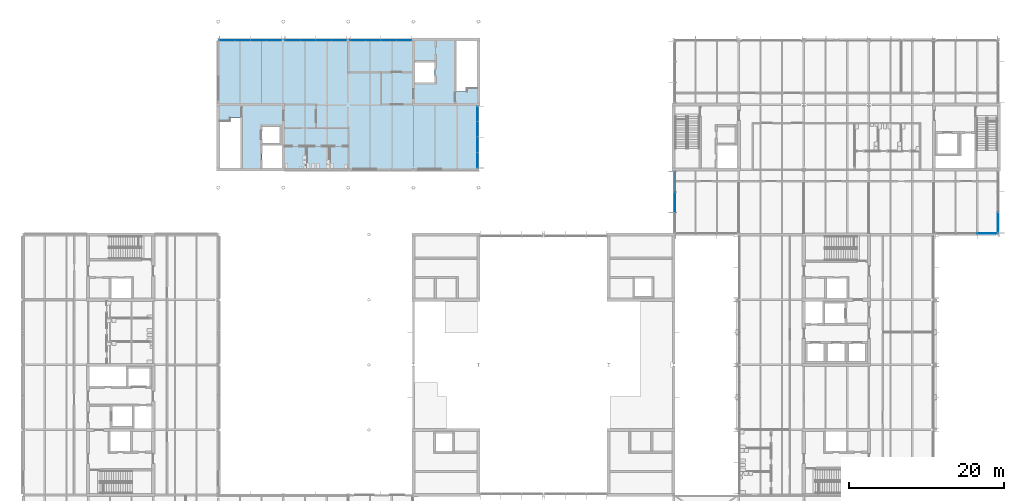
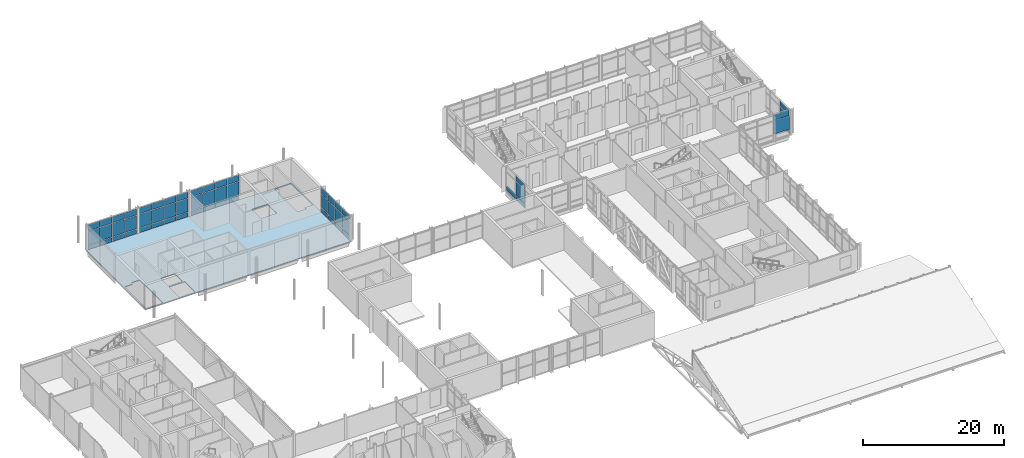
# One storey, part 44 of 89: 57 plates, 1 slab, 7 elements without a shape of their own.
"""IFC4 building model written with IfcOpenShell, lengths in metres."""

import ifcopenshell
import ifcopenshell.guid

model = None  # the IFC model being written
_history = None  # IfcOwnerHistory: only IFC2X3 demands one
_inside = {}  # id of a spatial element -> (the spatial element, [elements in it])
_under = {}  # id of a project, library or spatial element -> (it, [spatial elements below it])
_declared = {}  # id of a project -> (the project, [libraries it declares])
_typed = {}  # id of a type object -> (the type object, [elements of that type])
_made_of = {}  # id of a material, layer set ... -> (it, [elements and type objects made of it])


def new_model(schema):
    """Start an empty IFC model of exactly this schema.

    Asked for "IFC4X3", IfcOpenShell would pick the latest addendum, in which some entities
    have other attributes; the version numbers below select the first issue.
    IFC2X3 requires an IfcOwnerHistory on every rooted entity: one is made here for all.
    """
    global model, _history
    if schema == "IFC4X3":
        model = ifcopenshell.file(schema_version=(4, 3, 0, 0))
    else:
        model = ifcopenshell.file(schema=schema)
    _inside.clear()
    _under.clear()
    _declared.clear()
    _typed.clear()
    _made_of.clear()
    _history = None
    if model.schema == "IFC2X3":
        org = make("IfcOrganization", Name="unknown")
        user = make(
            "IfcPersonAndOrganization",
            ThePerson=make("IfcPerson", FamilyName="unknown"),
            TheOrganization=org,
        )
        app = make(
            "IfcApplication",
            ApplicationDeveloper=org,
            Version="unknown",
            ApplicationFullName="unknown",
            ApplicationIdentifier="unknown",
        )
        _history = make(
            "IfcOwnerHistory",
            OwningUser=user,
            OwningApplication=app,
            ChangeAction="ADDED",
            CreationDate=0,
        )
    return model


def make(cls, **values):
    """One entity of the class cls with the attributes given. An attribute that is None is left unset."""
    return model.create_entity(
        cls, **{name: value for name, value in values.items() if value is not None}
    )


def rooted(cls, **values):
    """An entity with a GlobalId (a new one), such as an element, a storey or a relation."""
    return make(cls, GlobalId=ifcopenshell.guid.new(), OwnerHistory=_history, **values)


def si_unit(unit_type, name, prefix=None):
    """IfcSIUnit, for example si_unit("LENGTHUNIT", "METRE", prefix="MILLI")."""
    return make("IfcSIUnit", UnitType=unit_type, Prefix=prefix, Name=name)


def assignment(units):
    """IfcUnitAssignment: the units of a project."""
    return None if units is None else make("IfcUnitAssignment", Units=units)


def point(xyz):
    """IfcCartesianPoint."""
    return None if xyz is None else make("IfcCartesianPoint", Coordinates=xyz)


def direction(xyz):
    """IfcDirection."""
    return None if xyz is None else make("IfcDirection", DirectionRatios=xyz)


def frame(location, z_axis=None, x_axis=None):
    """IfcAxis2Placement3D, a coordinate frame: its origin and axes. An axis left out is left unset."""
    return make(
        "IfcAxis2Placement3D",
        Location=point(location),
        Axis=direction(z_axis),
        RefDirection=direction(x_axis),
    )


def frame_2d(location, x_axis=None):
    """IfcAxis2Placement2D, a coordinate frame in the plane: its origin and x axis."""
    return make(
        "IfcAxis2Placement2D", Location=point(location), RefDirection=direction(x_axis)
    )


def origin():
    """The frame at (0, 0, 0) with its axes left unset."""
    return frame((0.0, 0.0, 0.0))


def origin_2d():
    """The frame at (0, 0) in the plane with its x axis left unset."""
    return frame_2d((0.0, 0.0))


def place(relative_to, where):
    """IfcLocalPlacement: puts the frame where relative to a parent placement (None: the world)."""
    return make(
        "IfcLocalPlacement", PlacementRelTo=relative_to, RelativePlacement=where
    )


def context(
    kind, dimensions, precision=None, world=None, true_north=None, identifier=None
):
    """IfcGeometricRepresentationContext, for example the 3D "Model" context."""
    return make(
        "IfcGeometricRepresentationContext",
        ContextIdentifier=identifier,
        ContextType=kind,
        CoordinateSpaceDimension=dimensions,
        Precision=precision,
        WorldCoordinateSystem=world,
        TrueNorth=true_north,
    )


def subcontext(parent, identifier, kind, view, scale=None):
    """IfcGeometricRepresentationSubContext, for example "Body" below "Model"."""
    return make(
        "IfcGeometricRepresentationSubContext",
        ContextIdentifier=identifier,
        ContextType=kind,
        ParentContext=parent,
        TargetScale=scale,
        TargetView=view,
    )


def project(units=None, contexts=None):
    """IfcProject with its units and contexts."""
    return rooted(
        "IfcProject",
        Name="project",
        RepresentationContexts=contexts,
        UnitsInContext=assignment(units),
    )


def spatial(cls, under=None, at=None, **own):
    """A site, building, storey or space (cls), placed at a placement, below another one or the project."""
    s = rooted(cls, ObjectPlacement=at, **own)
    if under is not None:
        _under.setdefault(under.id(), (under, []))[1].append(s)
    return s


def polyline(points):
    """IfcPolyline through the points."""
    return make("IfcPolyline", Points=[point(p) for p in points])


def profile(cls, at=None, kind="AREA", **sizes):
    """A parametric profile (cls). Its sizes go by their IFC names, for example OverallWidth=200.0."""
    return make(cls, ProfileType=kind, Position=at, **sizes)


def rectangle(**sizes):
    """IfcRectangleProfileDef."""
    return profile("IfcRectangleProfileDef", **sizes)


def outline(outer, holes=None, kind="AREA"):
    """IfcArbitraryClosedProfileDef: a profile drawn as a closed curve; with holes, ...WithVoids."""
    if holes is None:
        return make("IfcArbitraryClosedProfileDef", ProfileType=kind, OuterCurve=outer)
    return make(
        "IfcArbitraryProfileDefWithVoids",
        ProfileType=kind,
        OuterCurve=outer,
        InnerCurves=holes,
    )


def extrude(swept, where, along, depth):
    """IfcExtrudedAreaSolid: the profile swept, set in the frame where, extruded along a direction by depth."""
    return make(
        "IfcExtrudedAreaSolid",
        SweptArea=swept,
        Position=where,
        ExtrudedDirection=direction(along),
        Depth=depth,
    )


def shape(context_of_items, identifier, shape_type, items):
    """IfcShapeRepresentation: the items that make up one representation, for example the "Body"."""
    return make(
        "IfcShapeRepresentation",
        ContextOfItems=context_of_items,
        RepresentationIdentifier=identifier,
        RepresentationType=shape_type,
        Items=items,
    )


def material(Name=None, Category=None):
    """IfcMaterial."""
    return make("IfcMaterial", Name=Name, Category=Category)


def layer(
    of_material, thickness, ventilated=None, Name=None, Category=None, Priority=None
):
    """IfcMaterialLayer: one layer of a wall or slab, of a material (None: an air gap)."""
    return make(
        "IfcMaterialLayer",
        Material=of_material,
        LayerThickness=thickness,
        IsVentilated=ventilated,
        Name=Name,
        Category=Category,
        Priority=Priority,
    )


def layer_set(layers, Name=None):
    """IfcMaterialLayerSet."""
    return make("IfcMaterialLayerSet", MaterialLayers=layers, LayerSetName=Name)


def made_of(thing, what):
    """Note that an element or type object is made of a material, layer set ...; save() writes the relation."""
    if what is not None:
        _made_of.setdefault(what.id(), (what, []))[1].append(thing)
    return thing


def type_object(cls, material=None, **own):
    """A type object (cls), such as IfcWallType, which elements share."""
    return made_of(rooted(cls, **own), material)


def element(
    cls,
    number,
    at=None,
    inside=None,
    cuts=None,
    type_object=None,
    material=None,
    context=None,
    identifier="Body",
    shape_type=None,
    held_by="IfcProductDefinitionShape",
    body=None,
    shapes=None,
    **own,
):
    """One element of the class cls, such as IfcWall. Its Tag is "e" and its number.

    at: its placement. inside: the storey or other place that contains it. cuts: it is an
    opening in that element (IfcRelVoidsElement). A single representation is given by context,
    identifier, shape_type and body (its items); several are given by shapes. held_by: the class
    of the entity that holds the representations. save() writes the other relations.
    """
    e = rooted(cls, Tag="e%d" % number, ObjectPlacement=at, **own)
    if body is not None:
        shapes = [shape(context, identifier, shape_type, body)]
    if shapes is not None:
        e.Representation = make(held_by, Representations=shapes)
    if inside is not None:
        _inside.setdefault(inside.id(), (inside, []))[1].append(e)
    if cuts is not None:
        rooted(
            "IfcRelVoidsElement", RelatingBuildingElement=cuts, RelatedOpeningElement=e
        )
    if type_object is not None:
        _typed.setdefault(type_object.id(), (type_object, []))[1].append(e)
    return made_of(e, material)


def aggregate(whole, parts):
    """IfcRelAggregates: a whole, such as a stair, and the parts it consists of."""
    return rooted("IfcRelAggregates", RelatingObject=whole, RelatedObjects=parts)


def save(model, path):
    """Write the relations noted so far, then the file.

    IfcRelAggregates (storeys below a building ...), IfcRelContainedInSpatialStructure (elements
    in a storey), IfcRelDefinesByType, IfcRelAssociatesMaterial and IfcRelDeclares: one each for
    every whole, place, type object, material and project.
    """
    for whole, parts in _under.values():
        aggregate(whole, parts)
    for where, things in _inside.values():
        rooted(
            "IfcRelContainedInSpatialStructure",
            RelatedElements=things,
            RelatingStructure=where,
        )
    for kind, things in _typed.values():
        rooted("IfcRelDefinesByType", RelatedObjects=things, RelatingType=kind)
    for what, things in _made_of.values():
        rooted("IfcRelAssociatesMaterial", RelatedObjects=things, RelatingMaterial=what)
    for by, libraries in _declared.values():
        rooted("IfcRelDeclares", RelatingContext=by, RelatedDefinitions=libraries)
    model.write(path)


model = new_model("IFC4")

# Units and contexts
model_context = context("Model", 3, precision=1e-05, world=origin(), true_north=direction((0.0, 1.0)))
body_context = subcontext(model_context, "Body", "Model", "MODEL_VIEW")
ifc_project = project(units=[si_unit("LENGTHUNIT", "METRE"), si_unit("AREAUNIT", "SQUARE_METRE"), si_unit("VOLUMEUNIT", "CUBIC_METRE"), si_unit("PLANEANGLEUNIT", "RADIAN"), si_unit("MASSUNIT", "GRAM", prefix="KILO")], contexts=[model_context])

# Site, building, storey
site_placement = place(None, origin())
site = spatial("IfcSite", under=ifc_project, at=site_placement, CompositionType="ELEMENT")
building_placement = place(site_placement, origin())
building = spatial("IfcBuilding", under=site, at=building_placement, Name="Hlaing Beacon Police Headquarters", CompositionType="ELEMENT")
storey_placement = place(building_placement, frame((0.0, 0.0, 9.89990234375)))
storey = spatial("IfcBuildingStorey", under=building, at=storey_placement, Name="L02", CompositionType="ELEMENT", Elevation=9.89990234375)

# Curtain wall, plates
ifc_material_1 = material(Name="Aluminium frame with solar control glazing", Category="aluminium")
curtain_wall_type_1 = type_object("IfcCurtainWallType", Name="Unitised curtain wall 8.01 x 4.50", PredefinedType="NOTDEFINED", material=ifc_material_1)
curtain_wall_1_placement = place(storey_placement, origin())
curtain_wall_1 = element("IfcCurtainWall", 1, at=curtain_wall_1_placement, inside=storey, type_object=curtain_wall_type_1, Name="ENV-CW-L02-N034", PredefinedType="NOTDEFINED")
ifc_material_2 = material(Name="Solar control glazing", Category="glass")
ifc_layer_1 = layer(ifc_material_2, 0.031982421875)
ifc_layer_set_1 = layer_set([ifc_layer_1], Name="Solar control glazing")
plate_type_1 = type_object("IfcPlateType", Name="Clear glazing panel 32", PredefinedType="CURTAIN_PANEL", material=ifc_layer_set_1)
plate_1_placement = place(storey_placement, frame((57.583251953125, 92.300048828125, 3.35009765625), z_axis=(0.0, 0.0, 1.0), x_axis=(-1.0, 0.0, 0.0)))
plate_1 = element("IfcPlate", 2, at=plate_1_placement, type_object=plate_type_1, Name="CW-L02-N034 panel 1.3", PredefinedType="CURTAIN_PANEL", context=body_context, shape_type="SweptSolid", body=[
    extrude(rectangle(XDim=1.91357421875, YDim=0.031982421875, at=origin_2d()), origin(), (0.0, 0.0, 1.0), 1.050048828125),
])
plate_2_placement = place(storey_placement, frame((55.594482421875, 92.300048828125, 3.35009765625), z_axis=(0.0, 0.0, 1.0), x_axis=(-1.0, 0.0, 0.0)))
plate_2 = element("IfcPlate", 3, at=plate_2_placement, type_object=plate_type_1, Name="CW-L02-N034 panel 2.3", PredefinedType="CURTAIN_PANEL", context=body_context, shape_type="SweptSolid", body=[
    extrude(rectangle(XDim=1.943603515625, YDim=0.031982421875, at=origin_2d()), origin(), (0.0, 0.0, 1.0), 1.050048828125),
])
plate_3_placement = place(storey_placement, frame((53.5908203125, 92.300048828125, 3.35009765625), z_axis=(0.0, 0.0, 1.0), x_axis=(-1.0, 0.0, 0.0)))
plate_3 = element("IfcPlate", 4, at=plate_3_placement, type_object=plate_type_1, Name="CW-L02-N034 panel 3.3", PredefinedType="CURTAIN_PANEL", context=body_context, shape_type="SweptSolid", body=[
    extrude(rectangle(XDim=1.943603515625, YDim=0.031982421875, at=origin_2d()), origin(), (0.0, 0.0, 1.0), 1.050048828125),
])
plate_4_placement = place(storey_placement, frame((51.602294921875, 92.300048828125, 3.35009765625), z_axis=(0.0, 0.0, 1.0), x_axis=(-1.0, 0.0, 0.0)))
plate_4 = element("IfcPlate", 5, at=plate_4_placement, type_object=plate_type_1, Name="CW-L02-N034 panel 4.3", PredefinedType="CURTAIN_PANEL", context=body_context, shape_type="SweptSolid", body=[
    extrude(rectangle(XDim=1.91357421875, YDim=0.031982421875, at=origin_2d()), origin(), (0.0, 0.0, 1.0), 1.050048828125),
])

ifc_material_3 = material(Name="Aluminium frame with solar control glazing", Category="aluminium")
curtain_wall_type_2 = type_object("IfcCurtainWallType", Name="Unitised curtain wall 8.03 x 4.50", PredefinedType="NOTDEFINED", material=ifc_material_3)
curtain_wall_2_placement = place(storey_placement, origin())
curtain_wall_2 = element("IfcCurtainWall", 6, at=curtain_wall_2_placement, inside=storey, type_object=curtain_wall_type_2, Name="ENV-CW-L02-N035", PredefinedType="NOTDEFINED")
plate_5_placement = place(storey_placement, frame((49.196044921875, 92.300048828125, 3.35009765625), z_axis=(0.0, 0.0, 1.0), x_axis=(-1.0, 0.0, 0.0)))
plate_5 = element("IfcPlate", 7, at=plate_5_placement, type_object=plate_type_1, Name="CW-L02-N035 panel 1.3", PredefinedType="CURTAIN_PANEL", context=body_context, shape_type="SweptSolid", body=[
    extrude(rectangle(XDim=1.917236328125, YDim=0.031982421875, at=origin_2d()), origin(), (0.0, 0.0, 1.0), 1.050048828125),
])
plate_6_placement = place(storey_placement, frame((47.20361328125, 92.300048828125, 3.35009765625), z_axis=(0.0, 0.0, 1.0), x_axis=(-1.0, 0.0, 0.0)))
plate_6 = element("IfcPlate", 8, at=plate_6_placement, type_object=plate_type_1, Name="CW-L02-N035 panel 2.3", PredefinedType="CURTAIN_PANEL", context=body_context, shape_type="SweptSolid", body=[
    extrude(rectangle(XDim=1.947265625, YDim=0.031982421875, at=origin_2d()), origin(), (0.0, 0.0, 1.0), 1.050048828125),
])
plate_7_placement = place(storey_placement, frame((45.1962890625, 92.300048828125, 3.35009765625), z_axis=(0.0, 0.0, 1.0), x_axis=(-1.0, 0.0, 0.0)))
plate_7 = element("IfcPlate", 9, at=plate_7_placement, type_object=plate_type_1, Name="CW-L02-N035 panel 3.3", PredefinedType="CURTAIN_PANEL", context=body_context, shape_type="SweptSolid", body=[
    extrude(rectangle(XDim=1.947265625, YDim=0.031982421875, at=origin_2d()), origin(), (0.0, 0.0, 1.0), 1.050048828125),
])
plate_8_placement = place(storey_placement, frame((43.2041015625, 92.300048828125, 3.35009765625), z_axis=(0.0, 0.0, 1.0), x_axis=(-1.0, 0.0, 0.0)))
plate_8 = element("IfcPlate", 10, at=plate_8_placement, type_object=plate_type_1, Name="CW-L02-N035 panel 4.3", PredefinedType="CURTAIN_PANEL", context=body_context, shape_type="SweptSolid", body=[
    extrude(rectangle(XDim=1.917236328125, YDim=0.031982421875, at=origin_2d()), origin(), (0.0, 0.0, 1.0), 1.050048828125),
])

ifc_material_4 = material(Name="Aluminium frame with solar control glazing", Category="aluminium")
curtain_wall_type_3 = type_object("IfcCurtainWallType", Name="Unitised curtain wall 8.09 x 4.50", PredefinedType="NOTDEFINED", material=ifc_material_4)
curtain_wall_3_placement = place(storey_placement, origin())
curtain_wall_3 = element("IfcCurtainWall", 11, at=curtain_wall_3_placement, inside=storey, type_object=curtain_wall_type_3, Name="ENV-CW-L02-N036", PredefinedType="NOTDEFINED")
plate_9_placement = place(storey_placement, frame((40.788818359375, 92.300048828125, 3.35009765625), z_axis=(0.0, 0.0, 1.0), x_axis=(-1.0, 0.0, 0.0)))
plate_9 = element("IfcPlate", 12, at=plate_9_placement, type_object=plate_type_1, Name="CW-L02-N036 panel 1.3", PredefinedType="CURTAIN_PANEL", context=body_context, shape_type="SweptSolid", body=[
    extrude(rectangle(XDim=1.931640625, YDim=0.031982421875, at=origin_2d()), origin(), (0.0, 0.0, 1.0), 1.050048828125),
])
plate_10_placement = place(storey_placement, frame((38.7822265625, 92.300048828125, 3.35009765625), z_axis=(0.0, 0.0, 1.0), x_axis=(-1.0, 0.0, 0.0)))
plate_10 = element("IfcPlate", 13, at=plate_10_placement, type_object=plate_type_1, Name="CW-L02-N036 panel 2.3", PredefinedType="CURTAIN_PANEL", context=body_context, shape_type="SweptSolid", body=[
    extrude(rectangle(XDim=1.961669921875, YDim=0.031982421875, at=origin_2d()), origin(), (0.0, 0.0, 1.0), 1.050048828125),
])
plate_11_placement = place(storey_placement, frame((36.7607421875, 92.300048828125, 3.35009765625), z_axis=(0.0, 0.0, 1.0), x_axis=(-1.0, 0.0, 0.0)))
plate_11 = element("IfcPlate", 14, at=plate_11_placement, type_object=plate_type_1, Name="CW-L02-N036 panel 3.3", PredefinedType="CURTAIN_PANEL", context=body_context, shape_type="SweptSolid", body=[
    extrude(rectangle(XDim=1.961669921875, YDim=0.031982421875, at=origin_2d()), origin(), (0.0, 0.0, 1.0), 1.050048828125),
])
plate_12_placement = place(storey_placement, frame((34.754150390625, 92.300048828125, 3.35009765625), z_axis=(0.0, 0.0, 1.0), x_axis=(-1.0, 0.0, 0.0)))
plate_12 = element("IfcPlate", 15, at=plate_12_placement, type_object=plate_type_1, Name="CW-L02-N036 panel 4.3", PredefinedType="CURTAIN_PANEL", context=body_context, shape_type="SweptSolid", body=[
    extrude(rectangle(XDim=1.931640625, YDim=0.031982421875, at=origin_2d()), origin(), (0.0, 0.0, 1.0), 1.050048828125),
])

ifc_material_5 = material(Name="Aluminium frame with solar control glazing", Category="aluminium")
curtain_wall_type_4 = type_object("IfcCurtainWallType", Name="Unitised curtain wall 8.02 x 4.50", PredefinedType="NOTDEFINED", material=ifc_material_5)
curtain_wall_4_placement = place(storey_placement, origin())
curtain_wall_4 = element("IfcCurtainWall", 16, at=curtain_wall_4_placement, inside=storey, type_object=curtain_wall_type_4, Name="ENV-CW-L02-E037", PredefinedType="NOTDEFINED")
plate_13_placement = place(storey_placement, frame((67.10009765625, 76.798828125, 3.35009765625), z_axis=(0.0, 0.0, 1.0), x_axis=(0.0, 1.0, 0.0)))
plate_13 = element("IfcPlate", 17, at=plate_13_placement, type_object=plate_type_1, Name="CW-L02-E037 panel 1.3", PredefinedType="CURTAIN_PANEL", context=body_context, shape_type="SweptSolid", body=[
    extrude(rectangle(XDim=1.91455078125, YDim=0.031982421875, at=origin_2d()), origin(), (0.0, 0.0, 1.0), 1.050048828125),
])
plate_14_placement = place(storey_placement, frame((67.10009765625, 78.78857421875, 3.35009765625), z_axis=(0.0, 0.0, 1.0), x_axis=(0.0, 1.0, 0.0)))
plate_14 = element("IfcPlate", 18, at=plate_14_placement, type_object=plate_type_1, Name="CW-L02-E037 panel 2.3", PredefinedType="CURTAIN_PANEL", context=body_context, shape_type="SweptSolid", body=[
    extrude(rectangle(XDim=1.944580078125, YDim=0.031982421875, at=origin_2d()), origin(), (0.0, 0.0, 1.0), 1.050048828125),
])
plate_15_placement = place(storey_placement, frame((67.10009765625, 80.793212890625, 3.35009765625), z_axis=(0.0, 0.0, 1.0), x_axis=(0.0, 1.0, 0.0)))
plate_15 = element("IfcPlate", 19, at=plate_15_placement, type_object=plate_type_1, Name="CW-L02-E037 panel 3.3", PredefinedType="CURTAIN_PANEL", context=body_context, shape_type="SweptSolid", body=[
    extrude(rectangle(XDim=1.944580078125, YDim=0.031982421875, at=origin_2d()), origin(), (0.0, 0.0, 1.0), 1.050048828125),
])
plate_16_placement = place(storey_placement, frame((67.10009765625, 82.78271484375, 3.35009765625), z_axis=(0.0, 0.0, 1.0), x_axis=(0.0, 1.0, 0.0)))
plate_16 = element("IfcPlate", 20, at=plate_16_placement, type_object=plate_type_1, Name="CW-L02-E037 panel 4.3", PredefinedType="CURTAIN_PANEL", context=body_context, shape_type="SweptSolid", body=[
    extrude(rectangle(XDim=1.91455078125, YDim=0.031982421875, at=origin_2d()), origin(), (0.0, 0.0, 1.0), 1.050048828125),
])

# Plate
ifc_material_6 = material(Name="Solar control glazing", Category="glass")
ifc_layer_2 = layer(ifc_material_6, 0.0439453125)
ifc_layer_set_2 = layer_set([ifc_layer_2], Name="Solar control glazing")
plate_type_2 = type_object("IfcPlateType", Name="Clear glazing panel 44", PredefinedType="CURTAIN_PANEL", material=ifc_layer_set_2)
plate_17_placement = place(storey_placement, frame((57.583251953125, 92.300048828125, 0.9501953125), z_axis=(0.0, 0.0, 1.0), x_axis=(-1.0, 0.0, 0.0)))
plate_17 = element("IfcPlate", 21, at=plate_17_placement, type_object=plate_type_2, Name="CW-L02-N034 panel 1.2", PredefinedType="CURTAIN_PANEL", context=body_context, shape_type="SweptSolid", body=[
    extrude(rectangle(XDim=1.91357421875, YDim=0.0439453125, at=origin_2d()), origin(), (0.0, 0.0, 1.0), 2.300048828125),
])

plate_18_placement = place(storey_placement, frame((55.594482421875, 92.300048828125, 0.9501953125), z_axis=(0.0, 0.0, 1.0), x_axis=(-1.0, 0.0, 0.0)))
plate_18 = element("IfcPlate", 22, at=plate_18_placement, type_object=plate_type_2, Name="CW-L02-N034 panel 2.2", PredefinedType="CURTAIN_PANEL", context=body_context, shape_type="SweptSolid", body=[
    extrude(rectangle(XDim=1.943603515625, YDim=0.0439453125, at=origin_2d()), origin(), (0.0, 0.0, 1.0), 2.300048828125),
])

plate_19_placement = place(storey_placement, frame((53.5908203125, 92.300048828125, 0.9501953125), z_axis=(0.0, 0.0, 1.0), x_axis=(-1.0, 0.0, 0.0)))
plate_19 = element("IfcPlate", 23, at=plate_19_placement, type_object=plate_type_2, Name="CW-L02-N034 panel 3.2", PredefinedType="CURTAIN_PANEL", context=body_context, shape_type="SweptSolid", body=[
    extrude(rectangle(XDim=1.943603515625, YDim=0.0439453125, at=origin_2d()), origin(), (0.0, 0.0, 1.0), 2.300048828125),
])

plate_20_placement = place(storey_placement, frame((51.602294921875, 92.300048828125, 0.9501953125), z_axis=(0.0, 0.0, 1.0), x_axis=(-1.0, 0.0, 0.0)))
plate_20 = element("IfcPlate", 24, at=plate_20_placement, type_object=plate_type_2, Name="CW-L02-N034 panel 4.2", PredefinedType="CURTAIN_PANEL", context=body_context, shape_type="SweptSolid", body=[
    extrude(rectangle(XDim=1.91357421875, YDim=0.0439453125, at=origin_2d()), origin(), (0.0, 0.0, 1.0), 2.300048828125),
])

plate_21_placement = place(storey_placement, frame((49.196044921875, 92.300048828125, 0.9501953125), z_axis=(0.0, 0.0, 1.0), x_axis=(-1.0, 0.0, 0.0)))
plate_21 = element("IfcPlate", 25, at=plate_21_placement, type_object=plate_type_2, Name="CW-L02-N035 panel 1.2", PredefinedType="CURTAIN_PANEL", context=body_context, shape_type="SweptSolid", body=[
    extrude(rectangle(XDim=1.917236328125, YDim=0.0439453125, at=origin_2d()), origin(), (0.0, 0.0, 1.0), 2.300048828125),
])

plate_22_placement = place(storey_placement, frame((47.20361328125, 92.300048828125, 0.9501953125), z_axis=(0.0, 0.0, 1.0), x_axis=(-1.0, 0.0, 0.0)))
plate_22 = element("IfcPlate", 26, at=plate_22_placement, type_object=plate_type_2, Name="CW-L02-N035 panel 2.2", PredefinedType="CURTAIN_PANEL", context=body_context, shape_type="SweptSolid", body=[
    extrude(rectangle(XDim=1.947265625, YDim=0.0439453125, at=origin_2d()), origin(), (0.0, 0.0, 1.0), 2.300048828125),
])

plate_23_placement = place(storey_placement, frame((45.1962890625, 92.300048828125, 0.9501953125), z_axis=(0.0, 0.0, 1.0), x_axis=(-1.0, 0.0, 0.0)))
plate_23 = element("IfcPlate", 27, at=plate_23_placement, type_object=plate_type_2, Name="CW-L02-N035 panel 3.2", PredefinedType="CURTAIN_PANEL", context=body_context, shape_type="SweptSolid", body=[
    extrude(rectangle(XDim=1.947265625, YDim=0.0439453125, at=origin_2d()), origin(), (0.0, 0.0, 1.0), 2.300048828125),
])

plate_24_placement = place(storey_placement, frame((43.2041015625, 92.300048828125, 0.9501953125), z_axis=(0.0, 0.0, 1.0), x_axis=(-1.0, 0.0, 0.0)))
plate_24 = element("IfcPlate", 28, at=plate_24_placement, type_object=plate_type_2, Name="CW-L02-N035 panel 4.2", PredefinedType="CURTAIN_PANEL", context=body_context, shape_type="SweptSolid", body=[
    extrude(rectangle(XDim=1.917236328125, YDim=0.0439453125, at=origin_2d()), origin(), (0.0, 0.0, 1.0), 2.300048828125),
])

plate_25_placement = place(storey_placement, frame((40.788818359375, 92.300048828125, 0.9501953125), z_axis=(0.0, 0.0, 1.0), x_axis=(-1.0, 0.0, 0.0)))
plate_25 = element("IfcPlate", 29, at=plate_25_placement, type_object=plate_type_2, Name="CW-L02-N036 panel 1.2", PredefinedType="CURTAIN_PANEL", context=body_context, shape_type="SweptSolid", body=[
    extrude(rectangle(XDim=1.931640625, YDim=0.0439453125, at=origin_2d()), origin(), (0.0, 0.0, 1.0), 2.300048828125),
])

plate_26_placement = place(storey_placement, frame((38.7822265625, 92.300048828125, 0.9501953125), z_axis=(0.0, 0.0, 1.0), x_axis=(-1.0, 0.0, 0.0)))
plate_26 = element("IfcPlate", 30, at=plate_26_placement, type_object=plate_type_2, Name="CW-L02-N036 panel 2.2", PredefinedType="CURTAIN_PANEL", context=body_context, shape_type="SweptSolid", body=[
    extrude(rectangle(XDim=1.961669921875, YDim=0.0439453125, at=origin_2d()), origin(), (0.0, 0.0, 1.0), 2.300048828125),
])

plate_27_placement = place(storey_placement, frame((36.7607421875, 92.300048828125, 0.9501953125), z_axis=(0.0, 0.0, 1.0), x_axis=(-1.0, 0.0, 0.0)))
plate_27 = element("IfcPlate", 31, at=plate_27_placement, type_object=plate_type_2, Name="CW-L02-N036 panel 3.2", PredefinedType="CURTAIN_PANEL", context=body_context, shape_type="SweptSolid", body=[
    extrude(rectangle(XDim=1.961669921875, YDim=0.0439453125, at=origin_2d()), origin(), (0.0, 0.0, 1.0), 2.300048828125),
])

plate_28_placement = place(storey_placement, frame((34.754150390625, 92.300048828125, 0.9501953125), z_axis=(0.0, 0.0, 1.0), x_axis=(-1.0, 0.0, 0.0)))
plate_28 = element("IfcPlate", 32, at=plate_28_placement, type_object=plate_type_2, Name="CW-L02-N036 panel 4.2", PredefinedType="CURTAIN_PANEL", context=body_context, shape_type="SweptSolid", body=[
    extrude(rectangle(XDim=1.931640625, YDim=0.0439453125, at=origin_2d()), origin(), (0.0, 0.0, 1.0), 2.300048828125),
])

plate_29_placement = place(storey_placement, frame((67.10009765625, 76.798828125, 0.9501953125), z_axis=(0.0, 0.0, 1.0), x_axis=(0.0, 1.0, 0.0)))
plate_29 = element("IfcPlate", 33, at=plate_29_placement, type_object=plate_type_2, Name="CW-L02-E037 panel 1.2", PredefinedType="CURTAIN_PANEL", context=body_context, shape_type="SweptSolid", body=[
    extrude(rectangle(XDim=1.91455078125, YDim=0.0439453125, at=origin_2d()), origin(), (0.0, 0.0, 1.0), 2.300048828125),
])

plate_30_placement = place(storey_placement, frame((67.10009765625, 78.78857421875, 0.9501953125), z_axis=(0.0, 0.0, 1.0), x_axis=(0.0, 1.0, 0.0)))
plate_30 = element("IfcPlate", 34, at=plate_30_placement, type_object=plate_type_2, Name="CW-L02-E037 panel 2.2", PredefinedType="CURTAIN_PANEL", context=body_context, shape_type="SweptSolid", body=[
    extrude(rectangle(XDim=1.944580078125, YDim=0.0439453125, at=origin_2d()), origin(), (0.0, 0.0, 1.0), 2.300048828125),
])

plate_31_placement = place(storey_placement, frame((67.10009765625, 80.793212890625, 0.9501953125), z_axis=(0.0, 0.0, 1.0), x_axis=(0.0, 1.0, 0.0)))
plate_31 = element("IfcPlate", 35, at=plate_31_placement, type_object=plate_type_2, Name="CW-L02-E037 panel 3.2", PredefinedType="CURTAIN_PANEL", context=body_context, shape_type="SweptSolid", body=[
    extrude(rectangle(XDim=1.944580078125, YDim=0.0439453125, at=origin_2d()), origin(), (0.0, 0.0, 1.0), 2.300048828125),
])

plate_32_placement = place(storey_placement, frame((67.10009765625, 82.78271484375, 0.9501953125), z_axis=(0.0, 0.0, 1.0), x_axis=(0.0, 1.0, 0.0)))
plate_32 = element("IfcPlate", 36, at=plate_32_placement, type_object=plate_type_2, Name="CW-L02-E037 panel 4.2", PredefinedType="CURTAIN_PANEL", context=body_context, shape_type="SweptSolid", body=[
    extrude(rectangle(XDim=1.91455078125, YDim=0.0439453125, at=origin_2d()), origin(), (0.0, 0.0, 1.0), 2.300048828125),
])

# Slab
ifc_material_7 = material(Name="Concrete C40/50", Category="concrete")
ifc_layer_3 = layer(ifc_material_7, 0.1298828125)
ifc_layer_set_3 = layer_set([ifc_layer_3], Name="Concrete C40/50")
slab_type = type_object("IfcSlabType", Name="Composite deck slab 130", PredefinedType="FLOOR", material=ifc_layer_set_3)
slab_placement = place(storey_placement, frame((0.0, 0.0, -0.1298828125)))
element("IfcSlab", 37, at=slab_placement, inside=storey, type_object=slab_type, Name="STR-SLAB-L02-03", PredefinedType="FLOOR", context=body_context, shape_type="SweptSolid", body=[
    extrude(outline(polyline([(33.60009765625, 75.60009765625), (67.199951171875, 75.60009765625), (67.199951171875, 92.39990234375), (33.60009765625, 92.39990234375), (33.60009765625, 75.60009765625)]), holes=[polyline([(33.800048828125, 75.800048828125), (36.5, 75.800048828125), (36.5, 82.2900390625), (35.10009765625, 82.2900390625), (35.10009765625, 81.89990234375), (33.800048828125, 81.89990234375), (33.800048828125, 75.800048828125)]), polyline([(39.25, 75.800048828125), (41.800048828125, 75.800048828125), (41.800048828125, 78.75), (39.25, 78.75), (39.25, 75.800048828125)]), polyline([(39.25, 79.0), (41.550048828125, 79.0), (41.550048828125, 81.14990234375), (39.25, 81.14990234375), (39.25, 79.0)]), polyline([(59.0, 86.85009765625), (61.550048828125, 86.85009765625), (61.550048828125, 89.449951171875), (59.0, 89.449951171875), (59.0, 86.85009765625)]), polyline([(64.300048828125, 85.7099609375), (65.699951171875, 85.7099609375), (65.699951171875, 86.10009765625), (67.0, 86.10009765625), (67.0, 92.199951171875), (64.300048828125, 92.199951171875), (64.300048828125, 85.7099609375)])]), origin(), (0.0, 0.0, 1.0), 0.1298828125),
])

# Plate
ifc_material_8 = material(Name="Insulated aluminium spandrel", Category="aluminium")
ifc_layer_4 = layer(ifc_material_8, 0.0400390625)
ifc_layer_set_4 = layer_set([ifc_layer_4], Name="Insulated aluminium spandrel")
plate_type_3 = type_object("IfcPlateType", Name="Insulated spandrel panel 40", PredefinedType="CURTAIN_PANEL", material=ifc_layer_set_4)
plate_33_placement = place(storey_placement, frame((57.583251953125, 92.300048828125, 0.10009765625), z_axis=(0.0, 0.0, 1.0), x_axis=(-1.0, 0.0, 0.0)))
plate_33 = element("IfcPlate", 38, at=plate_33_placement, type_object=plate_type_3, Name="CW-L02-N034 panel 1.1", PredefinedType="CURTAIN_PANEL", context=body_context, shape_type="SweptSolid", body=[
    extrude(rectangle(XDim=1.91357421875, YDim=0.0400390625, at=origin_2d()), origin(), (0.0, 0.0, 1.0), 0.75),
])

plate_34_placement = place(storey_placement, frame((55.594482421875, 92.300048828125, 0.10009765625), z_axis=(0.0, 0.0, 1.0), x_axis=(-1.0, 0.0, 0.0)))
plate_34 = element("IfcPlate", 39, at=plate_34_placement, type_object=plate_type_3, Name="CW-L02-N034 panel 2.1", PredefinedType="CURTAIN_PANEL", context=body_context, shape_type="SweptSolid", body=[
    extrude(rectangle(XDim=1.943603515625, YDim=0.0400390625, at=origin_2d()), origin(), (0.0, 0.0, 1.0), 0.75),
])

plate_35_placement = place(storey_placement, frame((53.5908203125, 92.300048828125, 0.10009765625), z_axis=(0.0, 0.0, 1.0), x_axis=(-1.0, 0.0, 0.0)))
plate_35 = element("IfcPlate", 40, at=plate_35_placement, type_object=plate_type_3, Name="CW-L02-N034 panel 3.1", PredefinedType="CURTAIN_PANEL", context=body_context, shape_type="SweptSolid", body=[
    extrude(rectangle(XDim=1.943603515625, YDim=0.0400390625, at=origin_2d()), origin(), (0.0, 0.0, 1.0), 0.75),
])

plate_36_placement = place(storey_placement, frame((51.602294921875, 92.300048828125, 0.10009765625), z_axis=(0.0, 0.0, 1.0), x_axis=(-1.0, 0.0, 0.0)))
plate_36 = element("IfcPlate", 41, at=plate_36_placement, type_object=plate_type_3, Name="CW-L02-N034 panel 4.1", PredefinedType="CURTAIN_PANEL", context=body_context, shape_type="SweptSolid", body=[
    extrude(rectangle(XDim=1.91357421875, YDim=0.0400390625, at=origin_2d()), origin(), (0.0, 0.0, 1.0), 0.75),
])

aggregate(curtain_wall_1, [plate_33, plate_17, plate_1, plate_34, plate_18, plate_2, plate_35, plate_19, plate_3, plate_36, plate_20, plate_4])

plate_37_placement = place(storey_placement, frame((49.196044921875, 92.300048828125, 0.10009765625), z_axis=(0.0, 0.0, 1.0), x_axis=(-1.0, 0.0, 0.0)))
plate_37 = element("IfcPlate", 42, at=plate_37_placement, type_object=plate_type_3, Name="CW-L02-N035 panel 1.1", PredefinedType="CURTAIN_PANEL", context=body_context, shape_type="SweptSolid", body=[
    extrude(rectangle(XDim=1.917236328125, YDim=0.0400390625, at=origin_2d()), origin(), (0.0, 0.0, 1.0), 0.75),
])

plate_38_placement = place(storey_placement, frame((47.20361328125, 92.300048828125, 0.10009765625), z_axis=(0.0, 0.0, 1.0), x_axis=(-1.0, 0.0, 0.0)))
plate_38 = element("IfcPlate", 43, at=plate_38_placement, type_object=plate_type_3, Name="CW-L02-N035 panel 2.1", PredefinedType="CURTAIN_PANEL", context=body_context, shape_type="SweptSolid", body=[
    extrude(rectangle(XDim=1.947265625, YDim=0.0400390625, at=origin_2d()), origin(), (0.0, 0.0, 1.0), 0.75),
])

plate_39_placement = place(storey_placement, frame((45.1962890625, 92.300048828125, 0.10009765625), z_axis=(0.0, 0.0, 1.0), x_axis=(-1.0, 0.0, 0.0)))
plate_39 = element("IfcPlate", 44, at=plate_39_placement, type_object=plate_type_3, Name="CW-L02-N035 panel 3.1", PredefinedType="CURTAIN_PANEL", context=body_context, shape_type="SweptSolid", body=[
    extrude(rectangle(XDim=1.947265625, YDim=0.0400390625, at=origin_2d()), origin(), (0.0, 0.0, 1.0), 0.75),
])

plate_40_placement = place(storey_placement, frame((43.2041015625, 92.300048828125, 0.10009765625), z_axis=(0.0, 0.0, 1.0), x_axis=(-1.0, 0.0, 0.0)))
plate_40 = element("IfcPlate", 45, at=plate_40_placement, type_object=plate_type_3, Name="CW-L02-N035 panel 4.1", PredefinedType="CURTAIN_PANEL", context=body_context, shape_type="SweptSolid", body=[
    extrude(rectangle(XDim=1.917236328125, YDim=0.0400390625, at=origin_2d()), origin(), (0.0, 0.0, 1.0), 0.75),
])

aggregate(curtain_wall_2, [plate_37, plate_21, plate_5, plate_38, plate_22, plate_6, plate_39, plate_23, plate_7, plate_40, plate_24, plate_8])

plate_41_placement = place(storey_placement, frame((40.788818359375, 92.300048828125, 0.10009765625), z_axis=(0.0, 0.0, 1.0), x_axis=(-1.0, 0.0, 0.0)))
plate_41 = element("IfcPlate", 46, at=plate_41_placement, type_object=plate_type_3, Name="CW-L02-N036 panel 1.1", PredefinedType="CURTAIN_PANEL", context=body_context, shape_type="SweptSolid", body=[
    extrude(rectangle(XDim=1.931640625, YDim=0.0400390625, at=origin_2d()), origin(), (0.0, 0.0, 1.0), 0.75),
])

plate_42_placement = place(storey_placement, frame((38.7822265625, 92.300048828125, 0.10009765625), z_axis=(0.0, 0.0, 1.0), x_axis=(-1.0, 0.0, 0.0)))
plate_42 = element("IfcPlate", 47, at=plate_42_placement, type_object=plate_type_3, Name="CW-L02-N036 panel 2.1", PredefinedType="CURTAIN_PANEL", context=body_context, shape_type="SweptSolid", body=[
    extrude(rectangle(XDim=1.961669921875, YDim=0.0400390625, at=origin_2d()), origin(), (0.0, 0.0, 1.0), 0.75),
])

plate_43_placement = place(storey_placement, frame((36.7607421875, 92.300048828125, 0.10009765625), z_axis=(0.0, 0.0, 1.0), x_axis=(-1.0, 0.0, 0.0)))
plate_43 = element("IfcPlate", 48, at=plate_43_placement, type_object=plate_type_3, Name="CW-L02-N036 panel 3.1", PredefinedType="CURTAIN_PANEL", context=body_context, shape_type="SweptSolid", body=[
    extrude(rectangle(XDim=1.961669921875, YDim=0.0400390625, at=origin_2d()), origin(), (0.0, 0.0, 1.0), 0.75),
])

plate_44_placement = place(storey_placement, frame((34.754150390625, 92.300048828125, 0.10009765625), z_axis=(0.0, 0.0, 1.0), x_axis=(-1.0, 0.0, 0.0)))
plate_44 = element("IfcPlate", 49, at=plate_44_placement, type_object=plate_type_3, Name="CW-L02-N036 panel 4.1", PredefinedType="CURTAIN_PANEL", context=body_context, shape_type="SweptSolid", body=[
    extrude(rectangle(XDim=1.931640625, YDim=0.0400390625, at=origin_2d()), origin(), (0.0, 0.0, 1.0), 0.75),
])

aggregate(curtain_wall_3, [plate_41, plate_25, plate_9, plate_42, plate_26, plate_10, plate_43, plate_27, plate_11, plate_44, plate_28, plate_12])

# Curtain wall, plate
ifc_material_9 = material(Name="Aluminium frame with solar control glazing", Category="aluminium")
curtain_wall_type_5 = type_object("IfcCurtainWallType", Name="Structural glazed gable wall 8.02 x 4.37", PredefinedType="NOTDEFINED", material=ifc_material_9)
curtain_wall_5_placement = place(storey_placement, origin())
curtain_wall_5 = element("IfcCurtainWall", 50, at=curtain_wall_5_placement, inside=storey, type_object=curtain_wall_type_5, Name="ENV-CW-L02-E020", PredefinedType="NOTDEFINED")
ifc_material_10 = material(Name="Insulated aluminium spandrel", Category="aluminium")
ifc_layer_5 = layer(ifc_material_10, 0.06005859375)
ifc_layer_set_5 = layer_set([ifc_layer_5], Name="Insulated aluminium spandrel")
plate_type_4 = type_object("IfcPlateType", Name="Insulated spandrel panel 60", PredefinedType="CURTAIN_PANEL", material=ifc_layer_set_5)
plate_45_placement = place(storey_placement, frame((134.25, 68.73486328125, 0.10009765625), z_axis=(0.0, 0.0, 1.0), x_axis=(0.0, 1.0, 0.0)))
plate_45 = element("IfcPlate", 51, at=plate_45_placement, type_object=plate_type_4, Name="CW-L02-E020 panel 1.1", PredefinedType="CURTAIN_PANEL", context=body_context, shape_type="SweptSolid", body=[
    extrude(rectangle(XDim=2.553955078125, YDim=0.06005859375, at=origin_2d()), origin(), (0.0, 0.0, 1.0), 0.75),
])

# Plate
plate_46_placement = place(storey_placement, frame((67.10009765625, 76.798828125, 0.10009765625), z_axis=(0.0, 0.0, 1.0), x_axis=(0.0, 1.0, 0.0)))
plate_46 = element("IfcPlate", 52, at=plate_46_placement, type_object=plate_type_4, Name="CW-L02-E037 panel 1.1", PredefinedType="CURTAIN_PANEL", context=body_context, shape_type="SweptSolid", body=[
    extrude(rectangle(XDim=1.91455078125, YDim=0.06005859375, at=origin_2d()), origin(), (0.0, 0.0, 1.0), 0.75),
])

plate_47_placement = place(storey_placement, frame((67.10009765625, 78.78857421875, 0.10009765625), z_axis=(0.0, 0.0, 1.0), x_axis=(0.0, 1.0, 0.0)))
plate_47 = element("IfcPlate", 53, at=plate_47_placement, type_object=plate_type_4, Name="CW-L02-E037 panel 2.1", PredefinedType="CURTAIN_PANEL", context=body_context, shape_type="SweptSolid", body=[
    extrude(rectangle(XDim=1.944580078125, YDim=0.06005859375, at=origin_2d()), origin(), (0.0, 0.0, 1.0), 0.75),
])

plate_48_placement = place(storey_placement, frame((67.10009765625, 80.793212890625, 0.10009765625), z_axis=(0.0, 0.0, 1.0), x_axis=(0.0, 1.0, 0.0)))
plate_48 = element("IfcPlate", 54, at=plate_48_placement, type_object=plate_type_4, Name="CW-L02-E037 panel 3.1", PredefinedType="CURTAIN_PANEL", context=body_context, shape_type="SweptSolid", body=[
    extrude(rectangle(XDim=1.944580078125, YDim=0.06005859375, at=origin_2d()), origin(), (0.0, 0.0, 1.0), 0.75),
])

plate_49_placement = place(storey_placement, frame((67.10009765625, 82.78271484375, 0.10009765625), z_axis=(0.0, 0.0, 1.0), x_axis=(0.0, 1.0, 0.0)))
plate_49 = element("IfcPlate", 55, at=plate_49_placement, type_object=plate_type_4, Name="CW-L02-E037 panel 4.1", PredefinedType="CURTAIN_PANEL", context=body_context, shape_type="SweptSolid", body=[
    extrude(rectangle(XDim=1.91455078125, YDim=0.06005859375, at=origin_2d()), origin(), (0.0, 0.0, 1.0), 0.75),
])

aggregate(curtain_wall_4, [plate_46, plate_29, plate_13, plate_47, plate_30, plate_14, plate_48, plate_31, plate_15, plate_49, plate_32, plate_16])

# Curtain wall, plates
ifc_material_11 = material(Name="Aluminium frame with solar control glazing", Category="aluminium")
curtain_wall_type_6 = type_object("IfcCurtainWallType", Name="Structural glazed gable wall 8.00 x 4.37", PredefinedType="NOTDEFINED", material=ifc_material_11)
curtain_wall_6_placement = place(storey_placement, origin())
curtain_wall_6 = element("IfcCurtainWall", 56, at=curtain_wall_6_placement, inside=storey, type_object=curtain_wall_type_6, Name="ENV-CW-L02-W028", PredefinedType="NOTDEFINED")
ifc_material_12 = material(Name="Insulated aluminium spandrel", Category="aluminium")
ifc_layer_6 = layer(ifc_material_12, 0.080078125)
ifc_layer_set_6 = layer_set([ifc_layer_6], Name="Insulated aluminium spandrel")
plate_type_5 = type_object("IfcPlateType", Name="Insulated spandrel panel 80", PredefinedType="CURTAIN_PANEL", material=ifc_layer_set_6)
plate_50_placement = place(storey_placement, frame((92.550048828125, 74.046630859375, 0.10009765625), z_axis=(0.0, 0.0, 1.0), x_axis=(0.0, -1.0, 0.0)))
plate_50 = element("IfcPlate", 57, at=plate_50_placement, type_object=plate_type_5, Name="CW-L02-W028 panel 1.1", PredefinedType="CURTAIN_PANEL", context=body_context, shape_type="SweptSolid", body=[
    extrude(rectangle(XDim=2.546630859375, YDim=0.080078125, at=origin_2d()), origin(), (0.0, 0.0, 1.0), 0.75),
])
plate_51_placement = place(storey_placement, frame((92.550048828125, 71.39990234375, 0.10009765625), z_axis=(0.0, 0.0, 1.0), x_axis=(0.0, -1.0, 0.0)))
plate_51 = element("IfcPlate", 58, at=plate_51_placement, type_object=plate_type_5, Name="CW-L02-W028 panel 2.1", PredefinedType="CURTAIN_PANEL", context=body_context, shape_type="SweptSolid", body=[
    extrude(rectangle(XDim=2.586669921875, YDim=0.080078125, at=origin_2d()), origin(), (0.0, 0.0, 1.0), 0.75),
])

# Curtain wall, plate
ifc_material_13 = material(Name="Aluminium frame with solar control glazing", Category="aluminium")
curtain_wall_type_7 = type_object("IfcCurtainWallType", Name="Structural glazed gable wall 8.08 x 4.37", PredefinedType="NOTDEFINED", material=ifc_material_13)
curtain_wall_7_placement = place(storey_placement, origin())
curtain_wall_7 = element("IfcCurtainWall", 59, at=curtain_wall_7_placement, inside=storey, type_object=curtain_wall_type_7, Name="ENV-CW-L02-S019", PredefinedType="NOTDEFINED")
ifc_material_14 = material(Name="Laminated solar control glazing", Category="glass")
ifc_layer_7 = layer(ifc_material_14, 0.031982421875)
ifc_layer_set_7 = layer_set([ifc_layer_7], Name="Laminated solar control glazing")
plate_type_6 = type_object("IfcPlateType", Name="Laminated glazing panel 32", PredefinedType="CURTAIN_PANEL", material=ifc_layer_set_7)
plate_52_placement = place(storey_placement, frame((132.906982421875, 67.35009765625, 3.35009765625), z_axis=(0.0, 0.0, 1.0), x_axis=(1.0, 0.0, 0.0)))
plate_52 = element("IfcPlate", 60, at=plate_52_placement, type_object=plate_type_6, Name="CW-L02-S019 panel 3.3", PredefinedType="CURTAIN_PANEL", context=body_context, shape_type="SweptSolid", body=[
    extrude(rectangle(XDim=2.572021484375, YDim=0.031982421875, at=origin_2d()), origin(), (0.0, 0.0, 1.0), 0.919921875),
])

# Plate
plate_53_placement = place(storey_placement, frame((134.25, 68.73486328125, 3.35009765625), z_axis=(0.0, 0.0, 1.0), x_axis=(0.0, 1.0, 0.0)))
plate_53 = element("IfcPlate", 61, at=plate_53_placement, type_object=plate_type_6, Name="CW-L02-E020 panel 1.3", PredefinedType="CURTAIN_PANEL", context=body_context, shape_type="SweptSolid", body=[
    extrude(rectangle(XDim=2.553955078125, YDim=0.031982421875, at=origin_2d()), origin(), (0.0, 0.0, 1.0), 0.919921875),
])

plate_54_placement = place(storey_placement, frame((92.550048828125, 71.39990234375, 3.35009765625), z_axis=(0.0, 0.0, 1.0), x_axis=(0.0, -1.0, 0.0)))
plate_54 = element("IfcPlate", 62, at=plate_54_placement, type_object=plate_type_6, Name="CW-L02-W028 panel 2.3", PredefinedType="CURTAIN_PANEL", context=body_context, shape_type="SweptSolid", body=[
    extrude(rectangle(XDim=2.586669921875, YDim=0.031982421875, at=origin_2d()), origin(), (0.0, 0.0, 1.0), 0.919921875),
])

ifc_material_15 = material(Name="Laminated solar control glazing", Category="glass")
ifc_layer_8 = layer(ifc_material_15, 0.0439453125)
ifc_layer_set_8 = layer_set([ifc_layer_8], Name="Laminated solar control glazing")
plate_type_7 = type_object("IfcPlateType", Name="Laminated glazing panel 44", PredefinedType="CURTAIN_PANEL", material=ifc_layer_set_8)
plate_55_placement = place(storey_placement, frame((134.25, 68.73486328125, 0.9501953125), z_axis=(0.0, 0.0, 1.0), x_axis=(0.0, 1.0, 0.0)))
plate_55 = element("IfcPlate", 63, at=plate_55_placement, type_object=plate_type_7, Name="CW-L02-E020 panel 1.2", PredefinedType="CURTAIN_PANEL", context=body_context, shape_type="SweptSolid", body=[
    extrude(rectangle(XDim=2.553955078125, YDim=0.0439453125, at=origin_2d()), origin(), (0.0, 0.0, 1.0), 2.300048828125),
])

aggregate(curtain_wall_5, [plate_45, plate_55, plate_53])

plate_56_placement = place(storey_placement, frame((92.550048828125, 71.39990234375, 0.9501953125), z_axis=(0.0, 0.0, 1.0), x_axis=(0.0, -1.0, 0.0)))
plate_56 = element("IfcPlate", 64, at=plate_56_placement, type_object=plate_type_7, Name="CW-L02-W028 panel 2.2", PredefinedType="CURTAIN_PANEL", context=body_context, shape_type="SweptSolid", body=[
    extrude(rectangle(XDim=2.586669921875, YDim=0.0439453125, at=origin_2d()), origin(), (0.0, 0.0, 1.0), 2.300048828125),
])

aggregate(curtain_wall_6, [plate_50, plate_51, plate_56, plate_54])

ifc_material_16 = material(Name="Laminated solar control glazing", Category="glass")
ifc_layer_9 = layer(ifc_material_16, 0.06591796875)
ifc_layer_set_9 = layer_set([ifc_layer_9], Name="Laminated solar control glazing")
plate_type_8 = type_object("IfcPlateType", Name="Laminated glazing panel 66", PredefinedType="CURTAIN_PANEL", material=ifc_layer_set_9)
plate_57_placement = place(storey_placement, frame((132.906982421875, 67.35009765625, 0.9501953125), z_axis=(0.0, 0.0, 1.0), x_axis=(1.0, 0.0, 0.0)))
plate_57 = element("IfcPlate", 65, at=plate_57_placement, type_object=plate_type_8, Name="CW-L02-S019 panel 3.2", PredefinedType="CURTAIN_PANEL", context=body_context, shape_type="SweptSolid", body=[
    extrude(rectangle(XDim=2.572021484375, YDim=0.06591796875, at=origin_2d()), origin(), (0.0, 0.0, 1.0), 2.300048828125),
])

aggregate(curtain_wall_7, [plate_57, plate_52])

save(model, "model.ifc")
